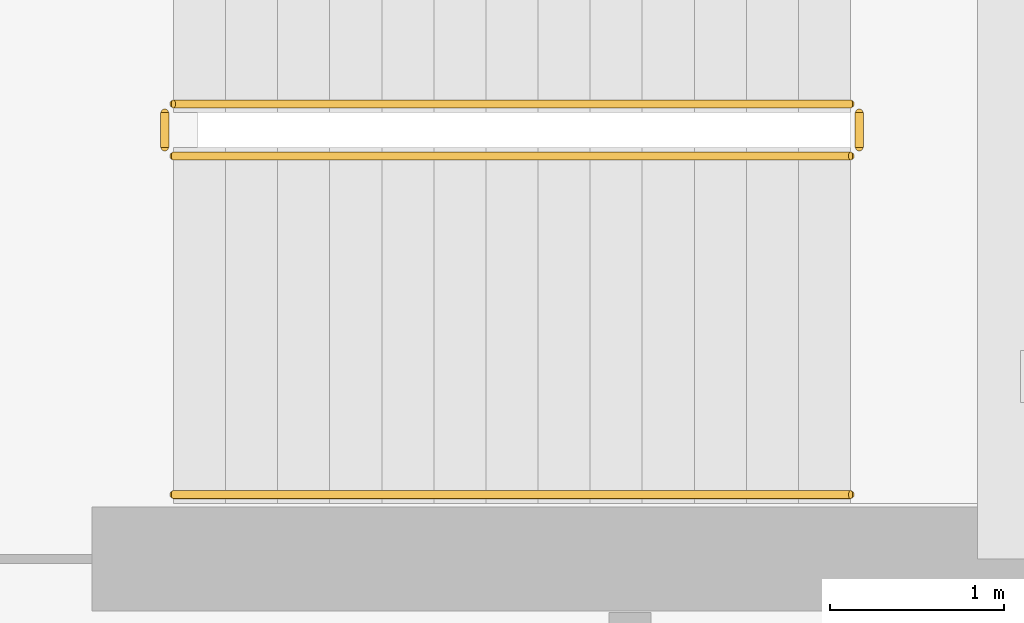
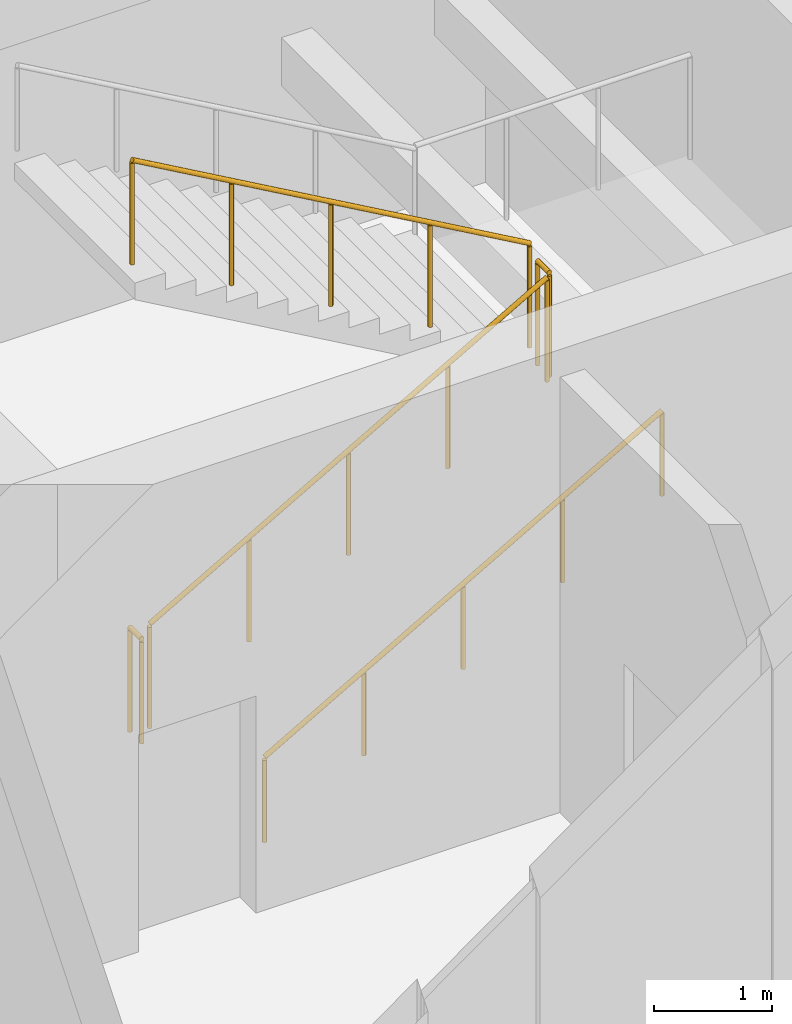
# One storey, part 54 of 61: 5 railings.
"""IFC4 building model written with IfcOpenShell, lengths in metres."""

from ifc_helpers import new_model, si_unit, direction, frame, origin, origin_2d, place, context, subcontext, project, spatial, circle, extrude, material, type_object, element, save


model = new_model("IFC4")

# Units and contexts
model_context = context("Model", 3, precision=1e-05, world=origin(), true_north=direction((0.0, 1.0)))
body_context = subcontext(model_context, "Body", "Model", "MODEL_VIEW")
ifc_project = project(units=[si_unit("LENGTHUNIT", "METRE"), si_unit("AREAUNIT", "SQUARE_METRE"), si_unit("VOLUMEUNIT", "CUBIC_METRE"), si_unit("PLANEANGLEUNIT", "RADIAN"), si_unit("MASSUNIT", "GRAM", prefix="KILO")], contexts=[model_context])

# Site, building, storey
site_placement = place(None, origin())
site = spatial("IfcSite", under=ifc_project, at=site_placement, CompositionType="ELEMENT")
building_placement = place(site_placement, origin())
building = spatial("IfcBuilding", under=site, at=building_placement, Name="Tarnveldt Square Police Headquarters", CompositionType="ELEMENT")
storey_placement = place(building_placement, frame((0.0, 0.0, 5.39990234375)))
storey = spatial("IfcBuildingStorey", under=building, at=storey_placement, Name="L01", CompositionType="ELEMENT", Elevation=5.39990234375)

# Railings
ifc_material = material(Name="Steel 350W", Category="steel")
railing_type_1 = type_object("IfcRailingType", Name="RL-GR-1100", PredefinedType="GUARDRAIL", material=ifc_material)
railing_1_placement = place(storey_placement, frame((19.3701171875, 62.719970703125, 0.171630859375)))
element("IfcRailing", 1, at=railing_1_placement, inside=storey, type_object=railing_type_1, Name="L01 ST1 stair guard 1", PredefinedType="GUARDRAIL", context=body_context, shape_type="SweptSolid", body=[
    extrude(circle(Radius=0.02392578125, at=origin_2d()), frame((0.0, 0.0, 1.076171875), z_axis=(0.868243142124, 0.0, 0.496138938357), x_axis=(0.0, 1.0, 0.0)), (0.0, 0.0, 1.0), 4.49169921875),
    extrude(circle(Radius=0.02099609375, at=origin_2d()), origin(), (0.0, 0.0, 1.0), 1.052001953125),
    extrude(circle(Radius=0.02099609375, at=origin_2d()), frame((0.97509765625, 0.0, 0.55712890625)), (0.0, 0.0, 1.0), 1.052001953125),
    extrude(circle(Radius=0.02099609375, at=origin_2d()), frame((1.949951171875, 0.0, 1.1142578125)), (0.0, 0.0, 1.0), 1.052001953125),
    extrude(circle(Radius=0.02099609375, at=origin_2d()), frame((2.9248046875, 0.0, 1.67138671875)), (0.0, 0.0, 1.0), 1.052001953125),
    extrude(circle(Radius=0.02099609375, at=origin_2d()), frame((3.89990234375, 0.0, 2.228515625)), (0.0, 0.0, 1.0), 1.052001953125),
])
railing_2_placement = place(storey_placement, frame((23.320068359375, 62.77001953125, 2.400146484375)))
element("IfcRailing", 2, at=railing_2_placement, inside=storey, type_object=railing_type_1, Name="L01 ST1 stair guard 2", PredefinedType="GUARDRAIL", context=body_context, shape_type="SweptSolid", body=[
    extrude(circle(Radius=0.02392578125, at=origin_2d()), frame((0.0, 0.0, 1.076171875), z_axis=(0.0, 1.0, 0.0), x_axis=(-1.0, 0.0, 0.0)), (0.0, 0.0, 1.0), 0.199951171875),
    extrude(circle(Radius=0.02099609375, at=origin_2d()), origin(), (0.0, 0.0, 1.0), 1.052001953125),
    extrude(circle(Radius=0.02099609375, at=origin_2d()), frame((0.0, 0.199951171875, 0.0)), (0.0, 0.0, 1.0), 1.052001953125),
])
railing_3_placement = place(storey_placement, frame((23.27001953125, 63.02001953125, 2.571533203125)))
element("IfcRailing", 3, at=railing_3_placement, inside=storey, type_object=railing_type_1, Name="L01 ST1 stair guard 4", PredefinedType="GUARDRAIL", context=body_context, shape_type="SweptSolid", body=[
    extrude(circle(Radius=0.02392578125, at=origin_2d()), frame((0.0, 0.0, 1.076171875), z_axis=(-0.868243142124, 0.0, 0.496138938357), x_axis=(0.0, -1.0, 0.0)), (0.0, 0.0, 1.0), 4.49169921875),
    extrude(circle(Radius=0.02099609375, at=origin_2d()), origin(), (0.0, 0.0, 1.0), 1.052001953125),
    extrude(circle(Radius=0.02099609375, at=origin_2d()), frame((-0.97509765625, 0.0, 0.55712890625)), (0.0, 0.0, 1.0), 1.052001953125),
    extrude(circle(Radius=0.02099609375, at=origin_2d()), frame((-1.949951171875, 0.0, 1.1142578125)), (0.0, 0.0, 1.0), 1.052001953125),
    extrude(circle(Radius=0.02099609375, at=origin_2d()), frame((-2.9248046875, 0.0, 1.67138671875)), (0.0, 0.0, 1.0), 1.052001953125),
    extrude(circle(Radius=0.02099609375, at=origin_2d()), frame((-3.89990234375, 0.0, 2.228515625)), (0.0, 0.0, 1.0), 1.052001953125),
])
railing_4_placement = place(storey_placement, frame((19.320068359375, 62.77001953125, 0.0)))
element("IfcRailing", 4, at=railing_4_placement, inside=storey, type_object=railing_type_1, Name="L01 ST1 stair guard 5", PredefinedType="GUARDRAIL", context=body_context, shape_type="SweptSolid", body=[
    extrude(circle(Radius=0.02392578125, at=origin_2d()), frame((0.0, 0.0, 1.076171875), z_axis=(0.0, 1.0, 0.0), x_axis=(-1.0, 0.0, 0.0)), (0.0, 0.0, 1.0), 0.199951171875),
    extrude(circle(Radius=0.02099609375, at=origin_2d()), origin(), (0.0, 0.0, 1.0), 1.052001953125),
    extrude(circle(Radius=0.02099609375, at=origin_2d()), frame((0.0, 0.199951171875, 0.0)), (0.0, 0.0, 1.0), 1.052001953125),
])
railing_type_2 = type_object("IfcRailingType", Name="RL-HR-900", PredefinedType="HANDRAIL", material=ifc_material)
railing_5_placement = place(storey_placement, frame((19.3701171875, 60.77001953125, 0.171630859375)))
element("IfcRailing", 5, at=railing_5_placement, inside=storey, type_object=railing_type_2, Name="L01 ST1 stair handrail 1", PredefinedType="HANDRAIL", context=body_context, shape_type="SweptSolid", body=[
    extrude(circle(Radius=0.02392578125, at=origin_2d()), frame((0.0, 0.0, 0.8759765625), z_axis=(0.868243142124, 0.0, 0.496138938357), x_axis=(0.0, 1.0, 0.0)), (0.0, 0.0, 1.0), 4.49169921875),
    extrude(circle(Radius=0.02099609375, at=origin_2d()), origin(), (0.0, 0.0, 1.0), 0.851806640625),
    extrude(circle(Radius=0.02099609375, at=origin_2d()), frame((0.97509765625, 0.0, 0.55712890625)), (0.0, 0.0, 1.0), 0.851806640625),
    extrude(circle(Radius=0.02099609375, at=origin_2d()), frame((1.949951171875, 0.0, 1.1142578125)), (0.0, 0.0, 1.0), 0.851806640625),
    extrude(circle(Radius=0.02099609375, at=origin_2d()), frame((2.9248046875, 0.0, 1.67138671875)), (0.0, 0.0, 1.0), 0.851806640625),
    extrude(circle(Radius=0.02099609375, at=origin_2d()), frame((3.89990234375, 0.0, 2.228515625)), (0.0, 0.0, 1.0), 0.851806640625),
])

save(model, "model.ifc")
